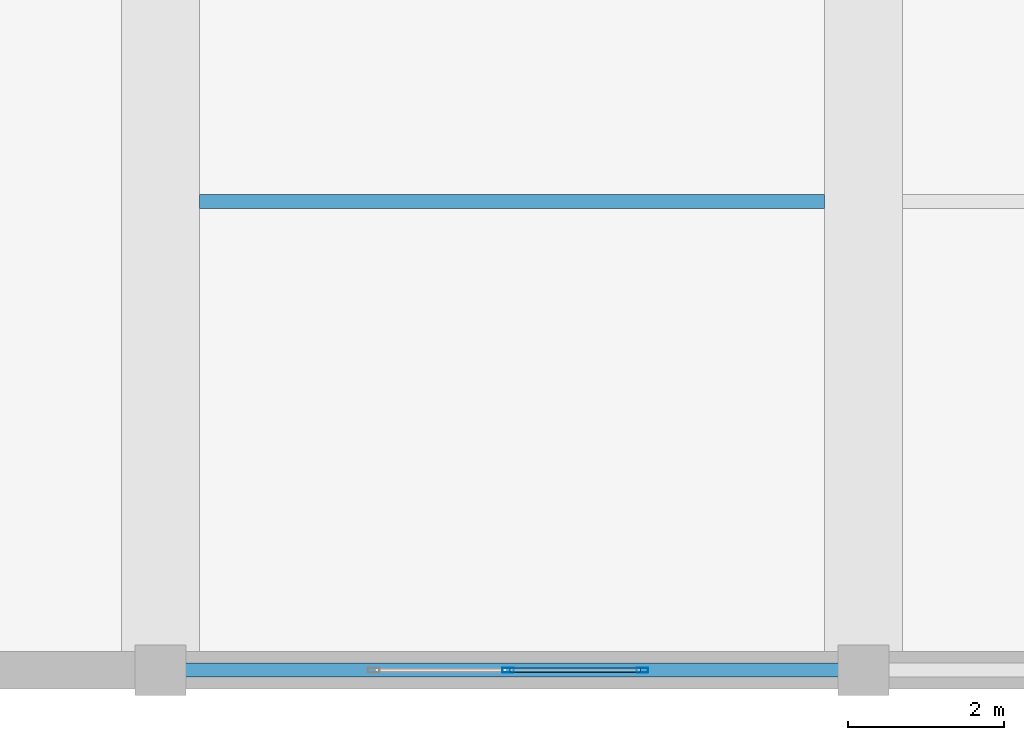
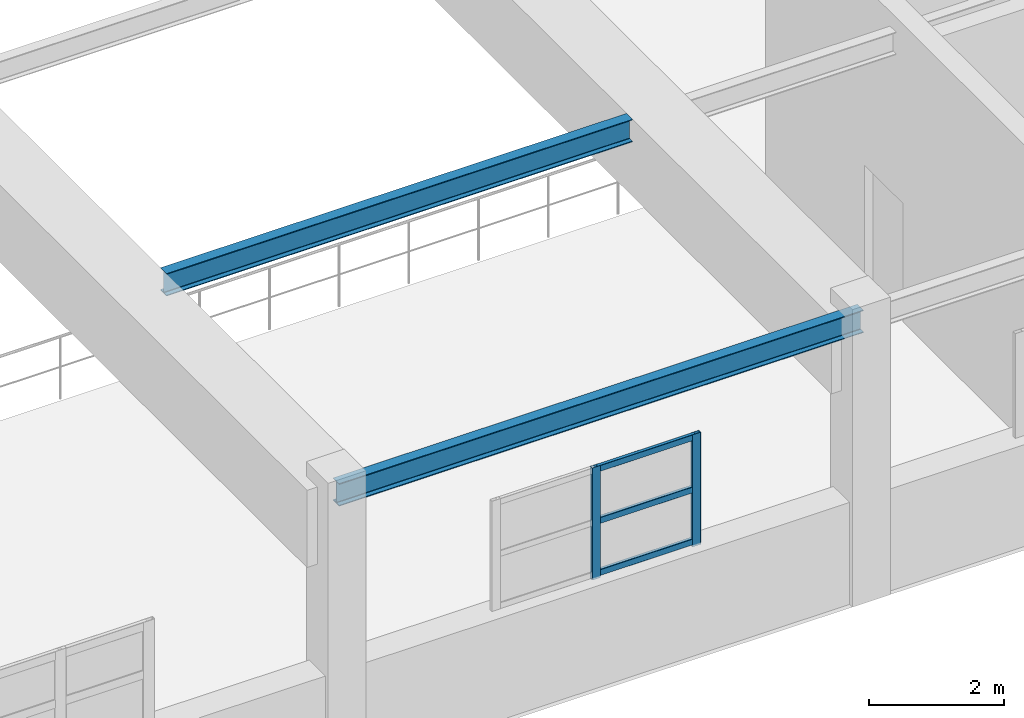
# One storey, part 16 of 197: 5 members, 2 beams, 1 element without a shape of its own.
"""IFC4 building model written with IfcOpenShell, lengths in metres."""

import ifcopenshell
import ifcopenshell.guid

model = None  # the IFC model being written
_history = None  # IfcOwnerHistory: only IFC2X3 demands one
_inside = {}  # id of a spatial element -> (the spatial element, [elements in it])
_under = {}  # id of a project, library or spatial element -> (it, [spatial elements below it])
_declared = {}  # id of a project -> (the project, [libraries it declares])
_typed = {}  # id of a type object -> (the type object, [elements of that type])
_made_of = {}  # id of a material, layer set ... -> (it, [elements and type objects made of it])


def new_model(schema):
    """Start an empty IFC model of exactly this schema.

    Asked for "IFC4X3", IfcOpenShell would pick the latest addendum, in which some entities
    have other attributes; the version numbers below select the first issue.
    IFC2X3 requires an IfcOwnerHistory on every rooted entity: one is made here for all.
    """
    global model, _history
    if schema == "IFC4X3":
        model = ifcopenshell.file(schema_version=(4, 3, 0, 0))
    else:
        model = ifcopenshell.file(schema=schema)
    _inside.clear()
    _under.clear()
    _declared.clear()
    _typed.clear()
    _made_of.clear()
    _history = None
    if model.schema == "IFC2X3":
        org = make("IfcOrganization", Name="unknown")
        user = make(
            "IfcPersonAndOrganization",
            ThePerson=make("IfcPerson", FamilyName="unknown"),
            TheOrganization=org,
        )
        app = make(
            "IfcApplication",
            ApplicationDeveloper=org,
            Version="unknown",
            ApplicationFullName="unknown",
            ApplicationIdentifier="unknown",
        )
        _history = make(
            "IfcOwnerHistory",
            OwningUser=user,
            OwningApplication=app,
            ChangeAction="ADDED",
            CreationDate=0,
        )
    return model


def make(cls, **values):
    """One entity of the class cls with the attributes given. An attribute that is None is left unset."""
    return model.create_entity(
        cls, **{name: value for name, value in values.items() if value is not None}
    )


def rooted(cls, **values):
    """An entity with a GlobalId (a new one), such as an element, a storey or a relation."""
    return make(cls, GlobalId=ifcopenshell.guid.new(), OwnerHistory=_history, **values)


def si_unit(unit_type, name, prefix=None):
    """IfcSIUnit, for example si_unit("LENGTHUNIT", "METRE", prefix="MILLI")."""
    return make("IfcSIUnit", UnitType=unit_type, Prefix=prefix, Name=name)


def derived_unit(unit_type, elements):
    """IfcDerivedUnit: a product of units, each with its exponent."""
    return make(
        "IfcDerivedUnit",
        Elements=[
            make("IfcDerivedUnitElement", Unit=unit, Exponent=power)
            for unit, power in elements
        ],
        UnitType=unit_type,
    )


def assignment(units):
    """IfcUnitAssignment: the units of a project."""
    return None if units is None else make("IfcUnitAssignment", Units=units)


def point(xyz):
    """IfcCartesianPoint."""
    return None if xyz is None else make("IfcCartesianPoint", Coordinates=xyz)


def direction(xyz):
    """IfcDirection."""
    return None if xyz is None else make("IfcDirection", DirectionRatios=xyz)


def frame(location, z_axis=None, x_axis=None):
    """IfcAxis2Placement3D, a coordinate frame: its origin and axes. An axis left out is left unset."""
    return make(
        "IfcAxis2Placement3D",
        Location=point(location),
        Axis=direction(z_axis),
        RefDirection=direction(x_axis),
    )


def frame_2d(location, x_axis=None):
    """IfcAxis2Placement2D, a coordinate frame in the plane: its origin and x axis."""
    return make(
        "IfcAxis2Placement2D", Location=point(location), RefDirection=direction(x_axis)
    )


def origin():
    """The frame at (0, 0, 0) with its axes left unset."""
    return frame((0.0, 0.0, 0.0))


def origin_2d():
    """The frame at (0, 0) in the plane with its x axis left unset."""
    return frame_2d((0.0, 0.0))


def place(relative_to, where):
    """IfcLocalPlacement: puts the frame where relative to a parent placement (None: the world)."""
    return make(
        "IfcLocalPlacement", PlacementRelTo=relative_to, RelativePlacement=where
    )


def context(
    kind, dimensions, precision=None, world=None, true_north=None, identifier=None
):
    """IfcGeometricRepresentationContext, for example the 3D "Model" context."""
    return make(
        "IfcGeometricRepresentationContext",
        ContextIdentifier=identifier,
        ContextType=kind,
        CoordinateSpaceDimension=dimensions,
        Precision=precision,
        WorldCoordinateSystem=world,
        TrueNorth=true_north,
    )


def subcontext(parent, identifier, kind, view, scale=None):
    """IfcGeometricRepresentationSubContext, for example "Body" below "Model"."""
    return make(
        "IfcGeometricRepresentationSubContext",
        ContextIdentifier=identifier,
        ContextType=kind,
        ParentContext=parent,
        TargetScale=scale,
        TargetView=view,
    )


def project(units=None, contexts=None):
    """IfcProject with its units and contexts."""
    return rooted(
        "IfcProject",
        Name="project",
        RepresentationContexts=contexts,
        UnitsInContext=assignment(units),
    )


def spatial(cls, under=None, at=None, **own):
    """A site, building, storey or space (cls), placed at a placement, below another one or the project."""
    s = rooted(cls, ObjectPlacement=at, **own)
    if under is not None:
        _under.setdefault(under.id(), (under, []))[1].append(s)
    return s


def profile(cls, at=None, kind="AREA", **sizes):
    """A parametric profile (cls). Its sizes go by their IFC names, for example OverallWidth=200.0."""
    return make(cls, ProfileType=kind, Position=at, **sizes)


def hollow_rectangle(**sizes):
    """IfcRectangleHollowProfileDef."""
    return profile("IfcRectangleHollowProfileDef", **sizes)


def i_section(**sizes):
    """IfcIShapeProfileDef."""
    return profile("IfcIShapeProfileDef", **sizes)


def extrude(swept, where, along, depth):
    """IfcExtrudedAreaSolid: the profile swept, set in the frame where, extruded along a direction by depth."""
    return make(
        "IfcExtrudedAreaSolid",
        SweptArea=swept,
        Position=where,
        ExtrudedDirection=direction(along),
        Depth=depth,
    )


def shape(context_of_items, identifier, shape_type, items):
    """IfcShapeRepresentation: the items that make up one representation, for example the "Body"."""
    return make(
        "IfcShapeRepresentation",
        ContextOfItems=context_of_items,
        RepresentationIdentifier=identifier,
        RepresentationType=shape_type,
        Items=items,
    )


def material(Name=None, Category=None):
    """IfcMaterial."""
    return make("IfcMaterial", Name=Name, Category=Category)


def layer(
    of_material, thickness, ventilated=None, Name=None, Category=None, Priority=None
):
    """IfcMaterialLayer: one layer of a wall or slab, of a material (None: an air gap)."""
    return make(
        "IfcMaterialLayer",
        Material=of_material,
        LayerThickness=thickness,
        IsVentilated=ventilated,
        Name=Name,
        Category=Category,
        Priority=Priority,
    )


def layer_set(layers, Name=None):
    """IfcMaterialLayerSet."""
    return make("IfcMaterialLayerSet", MaterialLayers=layers, LayerSetName=Name)


def material_profile(
    of_material, cross_section, Name=None, Category=None, Priority=None
):
    """IfcMaterialProfile: a cross section and its material."""
    return make(
        "IfcMaterialProfile",
        Name=Name,
        Material=of_material,
        Profile=cross_section,
        Priority=Priority,
        Category=Category,
    )


def profile_set(profiles, Name=None, composite=None):
    """IfcMaterialProfileSet."""
    return make(
        "IfcMaterialProfileSet",
        Name=Name,
        MaterialProfiles=profiles,
        CompositeProfile=composite,
    )


def made_of(thing, what):
    """Note that an element or type object is made of a material, layer set ...; save() writes the relation."""
    if what is not None:
        _made_of.setdefault(what.id(), (what, []))[1].append(thing)
    return thing


def type_object(cls, material=None, **own):
    """A type object (cls), such as IfcWallType, which elements share."""
    return made_of(rooted(cls, **own), material)


def element(
    cls,
    number,
    at=None,
    inside=None,
    cuts=None,
    type_object=None,
    material=None,
    context=None,
    identifier="Body",
    shape_type=None,
    held_by="IfcProductDefinitionShape",
    body=None,
    shapes=None,
    **own,
):
    """One element of the class cls, such as IfcWall. Its Tag is "e" and its number.

    at: its placement. inside: the storey or other place that contains it. cuts: it is an
    opening in that element (IfcRelVoidsElement). A single representation is given by context,
    identifier, shape_type and body (its items); several are given by shapes. held_by: the class
    of the entity that holds the representations. save() writes the other relations.
    """
    e = rooted(cls, Tag="e%d" % number, ObjectPlacement=at, **own)
    if body is not None:
        shapes = [shape(context, identifier, shape_type, body)]
    if shapes is not None:
        e.Representation = make(held_by, Representations=shapes)
    if inside is not None:
        _inside.setdefault(inside.id(), (inside, []))[1].append(e)
    if cuts is not None:
        rooted(
            "IfcRelVoidsElement", RelatingBuildingElement=cuts, RelatedOpeningElement=e
        )
    if type_object is not None:
        _typed.setdefault(type_object.id(), (type_object, []))[1].append(e)
    return made_of(e, material)


def aggregate(whole, parts):
    """IfcRelAggregates: a whole, such as a stair, and the parts it consists of."""
    return rooted("IfcRelAggregates", RelatingObject=whole, RelatedObjects=parts)


def save(model, path):
    """Write the relations noted so far, then the file.

    IfcRelAggregates (storeys below a building ...), IfcRelContainedInSpatialStructure (elements
    in a storey), IfcRelDefinesByType, IfcRelAssociatesMaterial and IfcRelDeclares: one each for
    every whole, place, type object, material and project.
    """
    for whole, parts in _under.values():
        aggregate(whole, parts)
    for where, things in _inside.values():
        rooted(
            "IfcRelContainedInSpatialStructure",
            RelatedElements=things,
            RelatingStructure=where,
        )
    for kind, things in _typed.values():
        rooted("IfcRelDefinesByType", RelatedObjects=things, RelatingType=kind)
    for what, things in _made_of.values():
        rooted("IfcRelAssociatesMaterial", RelatedObjects=things, RelatingMaterial=what)
    for by, libraries in _declared.values():
        rooted("IfcRelDeclares", RelatingContext=by, RelatedDefinitions=libraries)
    model.write(path)


model = new_model("IFC4")

# Units and contexts
model_context = context("Model", 3, precision=1e-05, world=origin(), true_north=direction((0.0, 1.0)))
body_context = subcontext(model_context, "Body", "Model", "MODEL_VIEW")
ifc_project = project(units=[si_unit("LENGTHUNIT", "METRE"), si_unit("AREAUNIT", "SQUARE_METRE"), si_unit("VOLUMEUNIT", "CUBIC_METRE"), si_unit("PLANEANGLEUNIT", "RADIAN"), si_unit("MASSUNIT", "GRAM", prefix="KILO"), derived_unit("THERMALTRANSMITTANCEUNIT", [(si_unit("POWERUNIT", "WATT"), 1), (si_unit("LENGTHUNIT", "METRE"), -2), (si_unit("THERMODYNAMICTEMPERATUREUNIT", "KELVIN"), -1)])], contexts=[model_context])

# Site, building, storey
site_placement = place(None, origin())
site = spatial("IfcSite", under=ifc_project, at=site_placement, CompositionType="ELEMENT")
building_placement = place(site_placement, origin())
building = spatial("IfcBuilding", under=site, at=building_placement, Name="Almenara Railside Exhibition Hall", CompositionType="ELEMENT")
storey_placement = place(building_placement, frame((0.0, 0.0, 5.39990234375)))
storey = spatial("IfcBuildingStorey", under=building, at=storey_placement, Name="L01", CompositionType="ELEMENT", Elevation=5.39990234375)

# Curtain wall, members
ifc_material_1 = material(Name="Bronze-anodised aluminium and low-E double glazing", Category="aluminium")
ifc_layer = layer(ifc_material_1, 0.179931640625, Name="Bronze-anodised aluminium and low-E double glazing")
ifc_layer_set = layer_set([ifc_layer], Name="Bronze-anodised aluminium and low-E double glazing")
curtain_wall_type = type_object("IfcCurtainWallType", Name="Plenary Clerestory Curtain Wall 3500x2000", PredefinedType="NOTDEFINED", material=ifc_layer_set)
curtain_wall_placement = place(storey_placement, origin())
curtain_wall = element("IfcCurtainWall", 1, at=curtain_wall_placement, inside=storey, type_object=curtain_wall_type, Name="Curtain wall CW-CL5-101", PredefinedType="NOTDEFINED")
ifc_material_2 = material(Name="Bronze-anodised aluminium", Category="aluminium")
ifc_material_profile_1 = material_profile(ifc_material_2, hollow_rectangle(XDim=0.06005859375, YDim=0.14990234375, WallThickness=0.00341796875, InnerFilletRadius=0.00341796875, OuterFilletRadius=0.007080078125, at=origin_2d()), Name="ALU-MUL 60x150x3.5")
ifc_profile_set_1 = profile_set([ifc_material_profile_1], Name="Bronze-anodised aluminium")
member_type_1 = type_object("IfcMemberType", Name="Curtain Wall Mullion 60x150x3.5", PredefinedType="MULLION", material=ifc_profile_set_1)
member_1_placement = place(storey_placement, frame((43.449951171875, 0.0, 1.815185546875), z_axis=(0.0, 0.0, 1.0), x_axis=(0.0, 1.0, 0.0)))
member_1 = element("IfcMember", 2, at=member_1_placement, type_object=member_type_1, Name="CW-CL5-101 mullion 2", PredefinedType="MULLION", context=body_context, shape_type="SweptSolid", body=[
    extrude(hollow_rectangle(XDim=0.06005859375, YDim=0.14990234375, WallThickness=0.00341796875, InnerFilletRadius=0.00341796875, OuterFilletRadius=0.007080078125, at=origin_2d()), origin(), (0.0, 0.0, 1.0), 2.034912109375),
])
member_2_placement = place(storey_placement, frame((45.169921875, 0.0, 1.815185546875), z_axis=(0.0, 0.0, 1.0), x_axis=(0.0, 1.0, 0.0)))
member_2 = element("IfcMember", 3, at=member_2_placement, type_object=member_type_1, Name="CW-CL5-101 mullion 3", PredefinedType="MULLION", context=body_context, shape_type="SweptSolid", body=[
    extrude(hollow_rectangle(XDim=0.06005859375, YDim=0.14990234375, WallThickness=0.00341796875, InnerFilletRadius=0.00341796875, OuterFilletRadius=0.007080078125, at=origin_2d()), origin(), (0.0, 0.0, 1.0), 2.034912109375),
])
ifc_material_profile_2 = material_profile(ifc_material_2, hollow_rectangle(XDim=0.06005859375, YDim=0.110107421875, WallThickness=0.0029296875, InnerFilletRadius=0.0029296875, OuterFilletRadius=0.006103515625, at=origin_2d()), Name="ALU-TRN 60x110x3")
ifc_profile_set_2 = profile_set([ifc_material_profile_2], Name="Bronze-anodised aluminium")
member_type_2 = type_object("IfcMemberType", Name="Curtain Wall Transom 60x110x3", PredefinedType="USERDEFINED", material=ifc_profile_set_2)
member_3_placement = place(storey_placement, frame((43.471923828125, 0.0, 1.905029296875), z_axis=(1.0, 0.0, 0.0), x_axis=(0.0, 1.0, 0.0)))
member_3 = element("IfcMember", 4, at=member_3_placement, type_object=member_type_2, Name="CW-CL5-101 transom 2.1", ObjectType="TRANSOM", PredefinedType="USERDEFINED", context=body_context, shape_type="SweptSolid", body=[
    extrude(hollow_rectangle(XDim=0.06005859375, YDim=0.110107421875, WallThickness=0.0029296875, InnerFilletRadius=0.0029296875, OuterFilletRadius=0.006103515625, at=origin_2d()), origin(), (0.0, 0.0, 1.0), 1.676025390625),
])
member_4_placement = place(storey_placement, frame((43.471923828125, 0.0, 2.85009765625), z_axis=(1.0, 0.0, 0.0), x_axis=(0.0, 1.0, 0.0)))
member_4 = element("IfcMember", 5, at=member_4_placement, type_object=member_type_2, Name="CW-CL5-101 transom 2.2", ObjectType="TRANSOM", PredefinedType="USERDEFINED", context=body_context, shape_type="SweptSolid", body=[
    extrude(hollow_rectangle(XDim=0.06005859375, YDim=0.110107421875, WallThickness=0.0029296875, InnerFilletRadius=0.0029296875, OuterFilletRadius=0.006103515625, at=origin_2d()), origin(), (0.0, 0.0, 1.0), 1.676025390625),
])
member_5_placement = place(storey_placement, frame((43.471923828125, 0.0, 3.795166015625), z_axis=(1.0, 0.0, 0.0), x_axis=(0.0, 1.0, 0.0)))
member_5 = element("IfcMember", 6, at=member_5_placement, type_object=member_type_2, Name="CW-CL5-101 transom 2.3", ObjectType="TRANSOM", PredefinedType="USERDEFINED", context=body_context, shape_type="SweptSolid", body=[
    extrude(hollow_rectangle(XDim=0.06005859375, YDim=0.110107421875, WallThickness=0.0029296875, InnerFilletRadius=0.0029296875, OuterFilletRadius=0.006103515625, at=origin_2d()), origin(), (0.0, 0.0, 1.0), 1.676025390625),
])
aggregate(curtain_wall, [member_1, member_2, member_3, member_4, member_5])

# Beams
ifc_material_3 = material(Name="Structural steel S355JR", Category="steel")
ifc_material_profile_3 = material_profile(ifc_material_3, i_section(OverallWidth=0.1787109375, OverallDepth=0.409423828125, WebThickness=0.0087890625, FlangeThickness=0.014404296875, FilletRadius=0.01025390625, at=origin_2d()), Name="UB 406x178x67")
ifc_profile_set_3 = profile_set([ifc_material_profile_3], Name="Structural steel S355JR")
beam_type = type_object("IfcBeamType", Name="Steel Plenary Joist UB 406x178x67 S355JR", PredefinedType="JOIST", material=ifc_profile_set_3)
beam_1_placement = place(storey_placement, frame((39.0, 0.0, 4.931396484375), z_axis=(1.0, 0.0, 0.0), x_axis=(0.0, 1.0, 0.0)))
element("IfcBeam", 7, at=beam_1_placement, inside=storey, type_object=beam_type, Name="Beam 0901", PredefinedType="JOIST", context=body_context, shape_type="SweptSolid", body=[
    extrude(i_section(OverallWidth=0.1787109375, OverallDepth=0.409423828125, WebThickness=0.0087890625, FlangeThickness=0.014404296875, FilletRadius=0.01025390625, at=origin_2d()), origin(), (0.0, 0.0, 1.0), 9.0),
])
beam_2_placement = place(storey_placement, frame((39.5, 6.0, 4.931396484375), z_axis=(1.0, 0.0, 0.0), x_axis=(0.0, 1.0, 0.0)))
element("IfcBeam", 8, at=beam_2_placement, inside=storey, type_object=beam_type, Name="Beam 0902", PredefinedType="JOIST", context=body_context, shape_type="SweptSolid", body=[
    extrude(i_section(OverallWidth=0.1787109375, OverallDepth=0.409423828125, WebThickness=0.0087890625, FlangeThickness=0.014404296875, FilletRadius=0.01025390625, at=origin_2d()), origin(), (0.0, 0.0, 1.0), 8.0),
])

save(model, "model.ifc")
